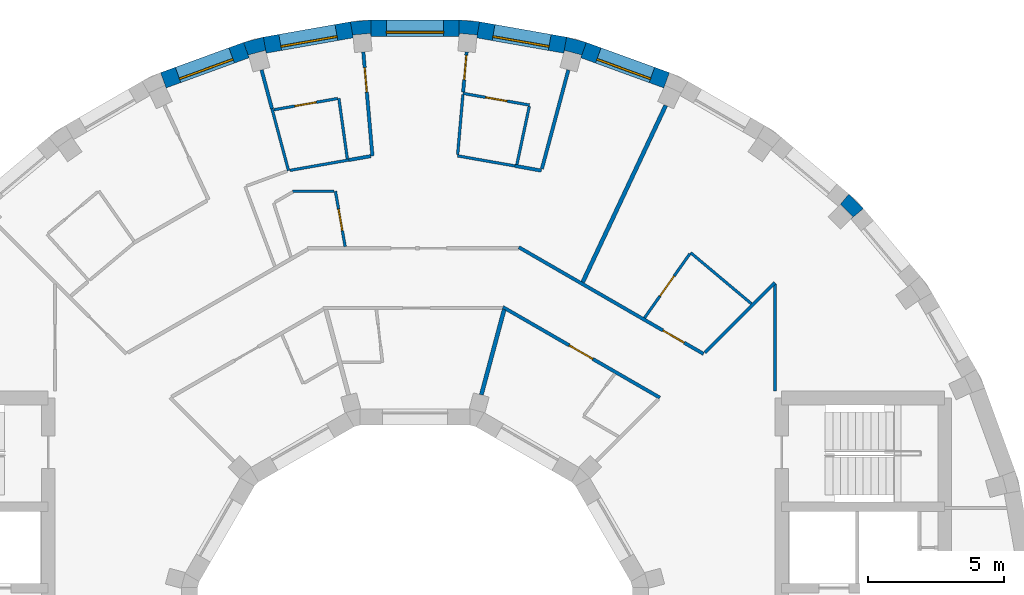
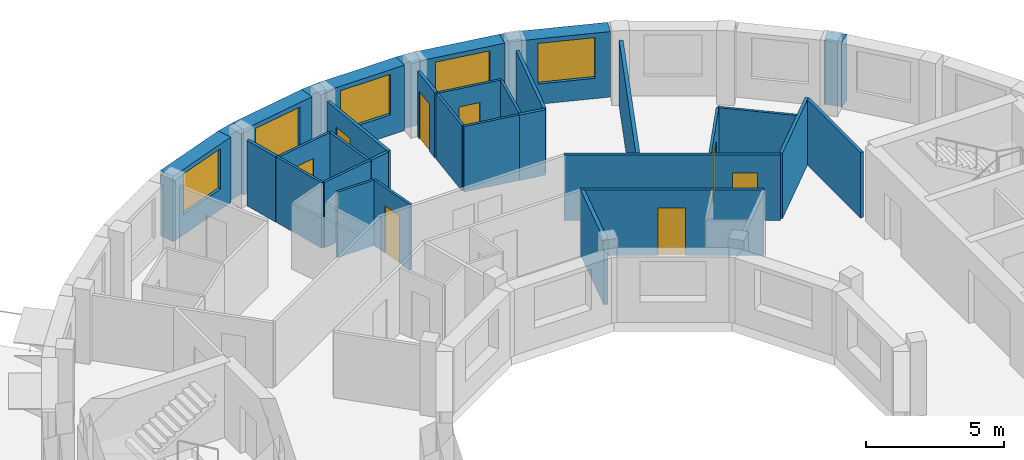
# One storey, part 8 of 10: 34 walls, 8 doors, 5 windows, 13 openings.
"""IFC4 building model written with IfcOpenShell, lengths in metres."""

from ifc_helpers import new_model, si_unit, direction, frame, frame_2d, origin, place, context, subcontext, project, spatial, polyline, rectangle, outline, extrude, material, layer, layer_set, type_object, element, fill, save


model = new_model("IFC4")

# Units and contexts
model_context = context("Model", 3, precision=1e-05, world=origin(), true_north=direction((0.0, 1.0)))
body_context = subcontext(model_context, "Body", "Model", "MODEL_VIEW")
ifc_project = project(units=[si_unit("LENGTHUNIT", "METRE"), si_unit("AREAUNIT", "SQUARE_METRE"), si_unit("VOLUMEUNIT", "CUBIC_METRE"), si_unit("PLANEANGLEUNIT", "RADIAN"), si_unit("MASSUNIT", "GRAM", prefix="KILO")], contexts=[model_context])

# Site, building, storey
site_placement = place(None, origin())
site = spatial("IfcSite", under=ifc_project, at=site_placement, CompositionType="ELEMENT")
building_placement = place(site_placement, origin())
building = spatial("IfcBuilding", under=site, at=building_placement, Name="Saqina Gate Tower", CompositionType="ELEMENT")
storey_placement = place(building_placement, frame((0.0, 0.0, 239.60009765625)))
storey = spatial("IfcBuildingStorey", under=building, at=storey_placement, Name="L68", CompositionType="ELEMENT", Elevation=239.60009765625)

# Walls
ifc_material_1 = material(Name="Brick masonry (buff)", Category="masonry")
wall_type_1 = type_object("IfcWallType", Name="BRICK PIER COPING BUFF", PredefinedType="SOLIDWALL", material=ifc_material_1)
wall_1_placement = place(storey_placement, origin())
element("IfcWall", 1, at=wall_1_placement, inside=storey, type_object=wall_type_1, Name="Pier cap L68 column 5", PredefinedType="SOLIDWALL", context=body_context, shape_type="SweptSolid", body=[
    extrude(outline(polyline([(15.973388671875, 16.5068359375), (15.587646484375, 16.04736328125), (15.662353515625, 16.1220703125), (16.1220703125, 15.662353515625), (16.04736328125, 15.587646484375), (16.5068359375, 15.973388671875), (15.973388671875, 16.5068359375)])), origin(), (0.0, 0.0, 1.0), 2.89990234375),
])
wall_2_placement = place(storey_placement, origin())
element("IfcWall", 2, at=wall_2_placement, inside=storey, type_object=wall_type_1, Name="Pier cap L68 column 8", PredefinedType="SOLIDWALL", context=body_context, shape_type="SweptSolid", body=[
    extrude(outline(polyline([(5.579833984375, 22.281982421875), (5.4755859375, 21.691162109375), (5.5029296875, 21.793212890625), (6.130859375, 21.625), (6.103515625, 21.52294921875), (6.30859375, 22.0869140625), (5.579833984375, 22.281982421875)])), origin(), (0.0, 0.0, 1.0), 2.89990234375),
])
wall_3_placement = place(storey_placement, origin())
element("IfcWall", 3, at=wall_3_placement, inside=storey, type_object=wall_type_1, Name="Pier cap L68 column 9", PredefinedType="SOLIDWALL", context=body_context, shape_type="SweptSolid", body=[
    extrude(outline(polyline([(2.377685546875, 22.8466796875), (1.625732421875, 22.91259765625), (1.625732421875, 22.3125), (1.635009765625, 22.417724609375), (2.28271484375, 22.361083984375), (2.2734375, 22.255859375), (2.377685546875, 22.8466796875)])), origin(), (0.0, 0.0, 1.0), 2.89990234375),
])
wall_4_placement = place(storey_placement, origin())
element("IfcWall", 4, at=wall_4_placement, inside=storey, type_object=wall_type_1, Name="Pier cap L68 column 10", PredefinedType="SOLIDWALL", context=body_context, shape_type="SweptSolid", body=[
    extrude(outline(polyline([(-1.625732421875, 22.91259765625), (-2.377685546875, 22.8466796875), (-2.2734375, 22.255859375), (-2.28271484375, 22.361083984375), (-1.635009765625, 22.417724609375), (-1.625732421875, 22.3125), (-1.625732421875, 22.91259765625)])), origin(), (0.0, 0.0, 1.0), 2.89990234375),
])
wall_5_placement = place(storey_placement, origin())
element("IfcWall", 5, at=wall_5_placement, inside=storey, type_object=wall_type_1, Name="Pier cap L68 column 11", PredefinedType="SOLIDWALL", context=body_context, shape_type="SweptSolid", body=[
    extrude(outline(polyline([(-6.30859375, 22.0869140625), (-6.103515625, 21.52294921875), (-6.130859375, 21.625), (-5.5029296875, 21.793212890625), (-5.4755859375, 21.691162109375), (-5.579833984375, 22.281982421875), (-6.30859375, 22.0869140625)])), origin(), (0.0, 0.0, 1.0), 2.89990234375),
])

# Wall, opening, window
ifc_material_2 = material(Name="Brick masonry (buff)", Category="masonry")
ifc_layer_1 = layer(ifc_material_2, 0.60009765625)
ifc_layer_set_1 = layer_set([ifc_layer_1], Name="FW-BRICK-BUFF")
wall_type_2 = type_object("IfcWallType", Name="FW-BRICK-BUFF", PredefinedType="SOLIDWALL", material=ifc_layer_set_1)
wall_6_placement = place(storey_placement, frame((9.26171875, 20.692626953125, 0.0), z_axis=(0.0, 0.0, 1.0), x_axis=(-0.939679383794, 0.342056509473, 0.0)))
wall_6 = element("IfcWall", 6, at=wall_6_placement, inside=storey, type_object=wall_type_2, Name="Facade wall L68 facet 7", PredefinedType="SOLIDWALL", context=body_context, shape_type="SweptSolid", body=[
    extrude(rectangle(XDim=3.251708984375, YDim=0.60009765625, at=frame_2d((1.6259765625, 0.0))), origin(), (0.0, 0.0, 1.0), 2.89990234375),
])
opening_1_placement = place(wall_6_placement, frame((0.57568359375, 0.0, 0.89990234375)))
opening_1 = element("IfcOpeningElement", 7, at=opening_1_placement, cuts=wall_6, Name="Opening G20-W05", PredefinedType="OPENING", context=body_context, shape_type="SweptSolid", body=[
    extrude(rectangle(XDim=2.10009765625, YDim=1.800048828125, at=frame_2d((1.050048828125, 0.89990234375))), frame((0.0, 0.31201171875, 0.0), z_axis=(0.0, -1.0, 0.0), x_axis=(1.0, 0.0, 0.0)), (0.0, 0.0, 1.0), 0.6240234375),
])
ifc_material_3 = material(Name="Aluminium glazing", Category="aluminium")
window_type = type_object("IfcWindowType", Name="WN-D", PartitioningType="SINGLE_PANEL", PredefinedType="WINDOW", material=ifc_material_3)
window_1_placement = place(opening_1_placement, origin())
window_1 = element("IfcWindow", 8, at=window_1_placement, inside=storey, type_object=window_type, Name="Window L68 facet 7", OverallHeight=1.800048828125, OverallWidth=2.10009765625, PartitioningType="SINGLE_PANEL", PredefinedType="WINDOW", context=body_context, shape_type="SweptSolid", body=[
    extrude(rectangle(XDim=2.10009765625, YDim=1.800048828125, at=frame_2d((1.050048828125, 0.89990234375))), frame((0.0, 0.179931640625, 0.0), z_axis=(0.0, -1.0, 0.0), x_axis=(1.0, 0.0, 0.0)), (0.0, 0.0, 1.0), 0.06005859375),
])
fill(opening_1, window_1)

wall_7_placement = place(storey_placement, frame((5.52783203125, 21.986572265625, 0.0), z_axis=(0.0, 0.0, 1.0), x_axis=(-0.984806225186, 0.173656842178, 0.0)))
wall_7 = element("IfcWall", 9, at=wall_7_placement, inside=storey, type_object=wall_type_2, Name="Facade wall L68 facet 8", PredefinedType="SOLIDWALL", context=body_context, shape_type="SweptSolid", body=[
    extrude(rectangle(XDim=3.251708984375, YDim=0.60009765625, at=frame_2d((1.6259765625, 0.0))), origin(), (0.0, 0.0, 1.0), 2.89990234375),
])
opening_2_placement = place(wall_7_placement, frame((0.57568359375, 0.0, 0.89990234375)))
opening_2 = element("IfcOpeningElement", 10, at=opening_2_placement, cuts=wall_7, Name="Opening G20-W06", PredefinedType="OPENING", context=body_context, shape_type="SweptSolid", body=[
    extrude(rectangle(XDim=2.10009765625, YDim=1.800048828125, at=frame_2d((1.050048828125, 0.89990234375))), frame((0.0, 0.31201171875, 0.0), z_axis=(0.0, -1.0, 0.0), x_axis=(1.0, 0.0, 0.0)), (0.0, 0.0, 1.0), 0.6240234375),
])
window_2_placement = place(opening_2_placement, origin())
window_2 = element("IfcWindow", 11, at=window_2_placement, inside=storey, type_object=window_type, Name="Window L68 facet 8", OverallHeight=1.800048828125, OverallWidth=2.10009765625, PartitioningType="SINGLE_PANEL", PredefinedType="WINDOW", context=body_context, shape_type="SweptSolid", body=[
    extrude(rectangle(XDim=2.10009765625, YDim=1.800048828125, at=frame_2d((1.050048828125, 0.89990234375))), frame((0.0, 0.179931640625, 0.0), z_axis=(0.0, -1.0, 0.0), x_axis=(1.0, 0.0, 0.0)), (0.0, 0.0, 1.0), 0.06005859375),
])
fill(opening_2, window_2)

wall_8_placement = place(storey_placement, frame((1.625732421875, 22.612548828125, 0.0), z_axis=(0.0, 0.0, 1.0), x_axis=(-1.0, 0.0, 0.0)))
wall_8 = element("IfcWall", 12, at=wall_8_placement, inside=storey, type_object=wall_type_2, Name="Facade wall L68 facet 9", PredefinedType="SOLIDWALL", context=body_context, shape_type="SweptSolid", body=[
    extrude(rectangle(XDim=3.25146484375, YDim=0.60009765625, at=frame_2d((1.625732421875, 0.0))), origin(), (0.0, 0.0, 1.0), 2.89990234375),
])
opening_3_placement = place(wall_8_placement, frame((0.57568359375, 0.0, 0.89990234375)))
opening_3 = element("IfcOpeningElement", 13, at=opening_3_placement, cuts=wall_8, Name="Opening G20-W07", PredefinedType="OPENING", context=body_context, shape_type="SweptSolid", body=[
    extrude(rectangle(XDim=2.10009765625, YDim=1.800048828125, at=frame_2d((1.050048828125, 0.89990234375))), frame((0.0, 0.31201171875, 0.0), z_axis=(0.0, -1.0, 0.0), x_axis=(1.0, 0.0, 0.0)), (0.0, 0.0, 1.0), 0.6240234375),
])
window_3_placement = place(opening_3_placement, origin())
window_3 = element("IfcWindow", 14, at=window_3_placement, inside=storey, type_object=window_type, Name="Window L68 facet 9", OverallHeight=1.800048828125, OverallWidth=2.10009765625, PartitioningType="SINGLE_PANEL", PredefinedType="WINDOW", context=body_context, shape_type="SweptSolid", body=[
    extrude(rectangle(XDim=2.10009765625, YDim=1.800048828125, at=frame_2d((1.050048828125, 0.89990234375))), frame((0.0, 0.179931640625, 0.0), z_axis=(0.0, -1.0, 0.0), x_axis=(1.0, 0.0, 0.0)), (0.0, 0.0, 1.0), 0.06005859375),
])
fill(opening_3, window_3)

wall_9_placement = place(storey_placement, frame((-2.325439453125, 22.55126953125, 0.0), z_axis=(0.0, 0.0, 1.0), x_axis=(-0.984806225186, -0.173656842178, 0.0)))
wall_9 = element("IfcWall", 15, at=wall_9_placement, inside=storey, type_object=wall_type_2, Name="Facade wall L68 facet 10", PredefinedType="SOLIDWALL", context=body_context, shape_type="SweptSolid", body=[
    extrude(rectangle(XDim=3.251708984375, YDim=0.60009765625, at=frame_2d((1.6259765625, 0.0))), origin(), (0.0, 0.0, 1.0), 2.89990234375),
])
opening_4_placement = place(wall_9_placement, frame((0.57568359375, 0.0, 0.89990234375)))
opening_4 = element("IfcOpeningElement", 16, at=opening_4_placement, cuts=wall_9, Name="Opening G20-W08", PredefinedType="OPENING", context=body_context, shape_type="SweptSolid", body=[
    extrude(rectangle(XDim=2.10009765625, YDim=1.800048828125, at=frame_2d((1.050048828125, 0.89990234375))), frame((0.0, 0.31201171875, 0.0), z_axis=(0.0, -1.0, 0.0), x_axis=(1.0, 0.0, 0.0)), (0.0, 0.0, 1.0), 0.6240234375),
])
window_4_placement = place(opening_4_placement, origin())
window_4 = element("IfcWindow", 17, at=window_4_placement, inside=storey, type_object=window_type, Name="Window L68 facet 10", OverallHeight=1.800048828125, OverallWidth=2.10009765625, PartitioningType="SINGLE_PANEL", PredefinedType="WINDOW", context=body_context, shape_type="SweptSolid", body=[
    extrude(rectangle(XDim=2.10009765625, YDim=1.800048828125, at=frame_2d((1.050048828125, 0.89990234375))), frame((0.0, 0.179931640625, 0.0), z_axis=(0.0, -1.0, 0.0), x_axis=(1.0, 0.0, 0.0)), (0.0, 0.0, 1.0), 0.06005859375),
])
fill(opening_4, window_4)

wall_10_placement = place(storey_placement, frame((-6.2060546875, 21.804931640625, 0.0), z_axis=(0.0, 0.0, 1.0), x_axis=(-0.939679383794, -0.342056509473, 0.0)))
wall_10 = element("IfcWall", 18, at=wall_10_placement, inside=storey, type_object=wall_type_2, Name="Facade wall L68 facet 11", PredefinedType="SOLIDWALL", context=body_context, shape_type="SweptSolid", body=[
    extrude(rectangle(XDim=3.251708984375, YDim=0.60009765625, at=frame_2d((1.6259765625, 0.0))), origin(), (0.0, 0.0, 1.0), 2.89990234375),
])
opening_5_placement = place(wall_10_placement, frame((0.57568359375, 0.0, 0.89990234375)))
opening_5 = element("IfcOpeningElement", 19, at=opening_5_placement, cuts=wall_10, Name="Opening G20-W09", PredefinedType="OPENING", context=body_context, shape_type="SweptSolid", body=[
    extrude(rectangle(XDim=2.10009765625, YDim=1.800048828125, at=frame_2d((1.050048828125, 0.89990234375))), frame((0.0, 0.31201171875, 0.0), z_axis=(0.0, -1.0, 0.0), x_axis=(1.0, 0.0, 0.0)), (0.0, 0.0, 1.0), 0.6240234375),
])
window_5_placement = place(opening_5_placement, origin())
window_5 = element("IfcWindow", 20, at=window_5_placement, inside=storey, type_object=window_type, Name="Window L68 facet 11", OverallHeight=1.800048828125, OverallWidth=2.10009765625, PartitioningType="SINGLE_PANEL", PredefinedType="WINDOW", context=body_context, shape_type="SweptSolid", body=[
    extrude(rectangle(XDim=2.10009765625, YDim=1.800048828125, at=frame_2d((1.050048828125, 0.89990234375))), frame((0.0, 0.179931640625, 0.0), z_axis=(0.0, -1.0, 0.0), x_axis=(1.0, 0.0, 0.0)), (0.0, 0.0, 1.0), 0.06005859375),
])
fill(opening_5, window_5)

# Wall
ifc_material_4 = material(Name="Gypsum board on steel studs, 100 mm", Category="steel")
ifc_layer_2 = layer(ifc_material_4, 0.10009765625)
ifc_layer_set_2 = layer_set([ifc_layer_2], Name="PARTITION 100")
wall_type_3 = type_object("IfcWallType", Name="PARTITION 100", PredefinedType="PARTITIONING", material=ifc_layer_set_2)
wall_11_placement = place(storey_placement, frame((-2.802001953125, 20.030029296875, 0.0), z_axis=(0.0, 0.0, 1.0), x_axis=(0.138596789885, -0.990348892983, 0.0)))
element("IfcWall", 21, at=wall_11_placement, inside=storey, type_object=wall_type_3, Name="PARTITION PW3-03", PredefinedType="PARTITIONING", context=body_context, shape_type="SweptSolid", body=[
    extrude(rectangle(XDim=2.251220703125, YDim=0.10009765625, at=frame_2d((1.12548828125, 0.0))), origin(), (0.0, 0.0, 1.0), 2.89990234375),
])

# Wall, opening, door
wall_12_placement = place(storey_placement, frame((-2.928955078125, 16.610107421875, 0.0), z_axis=(0.0, 0.0, 1.0), x_axis=(0.173496006764, -0.984834572726, 0.0)))
wall_12 = element("IfcWall", 22, at=wall_12_placement, inside=storey, type_object=wall_type_3, Name="PARTITION PW3-04", PredefinedType="PARTITIONING", context=body_context, shape_type="SweptSolid", body=[
    extrude(rectangle(XDim=2.070068359375, YDim=0.10009765625, at=frame_2d((1.03515625, 0.0))), origin(), (0.0, 0.0, 1.0), 2.89990234375),
])
opening_6_placement = place(wall_12_placement, frame((0.667236328125, 0.0, 0.0)))
opening_6 = element("IfcOpeningElement", 23, at=opening_6_placement, cuts=wall_12, Name="Opening G20-D12", PredefinedType="OPENING", context=body_context, shape_type="SweptSolid", body=[
    extrude(rectangle(XDim=0.800048828125, YDim=2.10009765625, at=frame_2d((0.39990234375, 1.050048828125))), frame((0.0, 0.06201171875, 0.0), z_axis=(0.0, -1.0, 0.0), x_axis=(1.0, 0.0, 0.0)), (0.0, 0.0, 1.0), 0.1240234375),
])
ifc_material_5 = material(Name="Timber door leaf, 800 mm", Category="wood")
door_type_1 = type_object("IfcDoorType", Name="DOOR 800 TIMBER", OperationType="SINGLE_SWING_LEFT", PredefinedType="DOOR", material=ifc_material_5)
door_1_placement = place(opening_6_placement, origin())
door_1 = element("IfcDoor", 24, at=door_1_placement, inside=storey, type_object=door_type_1, Name="DOOR G20-D12", OperationType="SINGLE_SWING_RIGHT", OverallHeight=2.10009765625, OverallWidth=0.800048828125, PredefinedType="DOOR", context=body_context, shape_type="SweptSolid", body=[
    extrude(rectangle(XDim=0.800048828125, YDim=2.10009765625, at=frame_2d((0.39990234375, 1.050048828125))), frame((0.0, 0.02490234375, 0.0), z_axis=(0.0, -1.0, 0.0), x_axis=(1.0, 0.0, 0.0)), (0.0, 0.0, 1.0), 0.050048828125),
])
fill(opening_6, door_1)

# Walls
wall_13_placement = place(storey_placement, frame((-5.263916015625, 19.646240234375, 0.0), z_axis=(0.0, 0.0, 1.0), x_axis=(0.258480811352, -0.966016392285, 0.0)))
element("IfcWall", 25, at=wall_13_placement, inside=storey, type_object=wall_type_3, Name="PARTITION PW3-06", PredefinedType="PARTITIONING", context=body_context, shape_type="SweptSolid", body=[
    extrude(rectangle(XDim=2.3583984375, YDim=0.10009765625, at=frame_2d((1.17919921875, 0.0))), origin(), (0.0, 0.0, 1.0), 2.89990234375),
])
wall_14_placement = place(storey_placement, frame((10.14599609375, 14.347900390625, 0.0), z_axis=(0.0, 0.0, 1.0), x_axis=(0.765810272607, -0.643066580044, 0.0)))
element("IfcWall", 26, at=wall_14_placement, inside=storey, type_object=wall_type_3, Name="PARTITION PW3-15", PredefinedType="PARTITIONING", context=body_context, shape_type="SweptSolid", body=[
    extrude(rectangle(XDim=2.919921875, YDim=0.10009765625, at=frame_2d((1.4599609375, 0.0))), origin(), (0.0, 0.0, 1.0), 2.89990234375),
])
wall_15_placement = place(storey_placement, frame((1.56689453125, 17.912109375, 0.0), z_axis=(0.0, 0.0, 1.0), x_axis=(0.984859193769, -0.173356189529, 0.0)))
element("IfcWall", 27, at=wall_15_placement, inside=storey, type_object=wall_type_3, Name="PARTITION PW3-23", PredefinedType="PARTITIONING", context=body_context, shape_type="SweptSolid", body=[
    extrude(rectangle(XDim=2.14208984375, YDim=0.10009765625, at=frame_2d((1.071044921875, 0.0))), origin(), (0.0, 0.0, 1.0), 2.89990234375),
])

# Wall, opening, door
wall_16_placement = place(storey_placement, frame((1.76806640625, 20.2119140625, 0.0), z_axis=(0.0, 0.0, 1.0), x_axis=(0.984882203063, -0.173225419871, 0.0)))
wall_16 = element("IfcWall", 28, at=wall_16_placement, inside=storey, type_object=wall_type_3, Name="PARTITION PW3-24", PredefinedType="PARTITIONING", context=body_context, shape_type="SweptSolid", body=[
    extrude(rectangle(XDim=2.487548828125, YDim=0.10009765625, at=frame_2d((1.24365234375, 0.0))), origin(), (0.0, 0.0, 1.0), 2.89990234375),
])
opening_7_placement = place(wall_16_placement, frame((0.84375, 0.0, 0.0)))
opening_7 = element("IfcOpeningElement", 29, at=opening_7_placement, cuts=wall_16, Name="Opening G20-D05", PredefinedType="OPENING", context=body_context, shape_type="SweptSolid", body=[
    extrude(rectangle(XDim=0.800048828125, YDim=2.10009765625, at=frame_2d((0.39990234375, 1.050048828125))), frame((0.0, 0.06201171875, 0.0), z_axis=(0.0, -1.0, 0.0), x_axis=(1.0, 0.0, 0.0)), (0.0, 0.0, 1.0), 0.1240234375),
])
door_2_placement = place(opening_7_placement, origin())
door_2 = element("IfcDoor", 30, at=door_2_placement, inside=storey, type_object=door_type_1, Name="DOOR G20-D05", OperationType="SINGLE_SWING_LEFT", OverallHeight=2.10009765625, OverallWidth=0.800048828125, PredefinedType="DOOR", context=body_context, shape_type="SweptSolid", body=[
    extrude(rectangle(XDim=0.800048828125, YDim=2.10009765625, at=frame_2d((0.39990234375, 1.050048828125))), frame((0.0, 0.02490234375, 0.0), z_axis=(0.0, -1.0, 0.0), x_axis=(1.0, 0.0, 0.0)), (0.0, 0.0, 1.0), 0.050048828125),
])
fill(opening_7, door_2)

# Walls
wall_17_placement = place(storey_placement, frame((-4.5087890625, 16.610107421875, 0.0), z_axis=(0.0, 0.0, 1.0), x_axis=(1.0, 0.0, 0.0)))
element("IfcWall", 31, at=wall_17_placement, inside=storey, type_object=wall_type_3, Name="PARTITION PW3-27", PredefinedType="PARTITIONING", context=body_context, shape_type="SweptSolid", body=[
    extrude(rectangle(XDim=1.52783203125, YDim=0.10009765625, at=frame_2d((0.763916015625, 0.0))), origin(), (0.0, 0.0, 1.0), 2.89990234375),
])
wall_18_placement = place(storey_placement, frame((-4.604736328125, 17.376708984375, 0.0), z_axis=(0.0, 0.0, 1.0), x_axis=(0.984786903427, 0.173766380058, 0.0)))
element("IfcWall", 32, at=wall_18_placement, inside=storey, type_object=wall_type_3, Name="PARTITION PW3-30", PredefinedType="PARTITIONING", context=body_context, shape_type="SweptSolid", body=[
    extrude(rectangle(XDim=2.204345703125, YDim=0.10009765625, at=frame_2d((1.10205078125, 0.0))), origin(), (0.0, 0.0, 1.0), 2.89990234375),
])

# Wall, opening, door
wall_19_placement = place(storey_placement, frame((-5.189453125, 19.60888671875, 0.0), z_axis=(0.0, 0.0, 1.0), x_axis=(0.984802186768, 0.173679742451, 0.0)))
wall_19 = element("IfcWall", 33, at=wall_19_placement, inside=storey, type_object=wall_type_3, Name="PARTITION PW3-31", PredefinedType="PARTITIONING", context=body_context, shape_type="SweptSolid", body=[
    extrude(rectangle(XDim=2.374267578125, YDim=0.10009765625, at=frame_2d((1.18701171875, 0.0))), origin(), (0.0, 0.0, 1.0), 2.89990234375),
])
opening_8_placement = place(wall_19_placement, frame((0.781005859375, 0.0, 0.0)))
opening_8 = element("IfcOpeningElement", 34, at=opening_8_placement, cuts=wall_19, Name="Opening G20-D13", PredefinedType="OPENING", context=body_context, shape_type="SweptSolid", body=[
    extrude(rectangle(XDim=0.800048828125, YDim=2.10009765625, at=frame_2d((0.39990234375, 1.050048828125))), frame((0.0, 0.06201171875, 0.0), z_axis=(0.0, -1.0, 0.0), x_axis=(1.0, 0.0, 0.0)), (0.0, 0.0, 1.0), 0.1240234375),
])
door_3_placement = place(opening_8_placement, origin())
door_3 = element("IfcDoor", 35, at=door_3_placement, inside=storey, type_object=door_type_1, Name="DOOR G20-D13", OperationType="SINGLE_SWING_LEFT", OverallHeight=2.10009765625, OverallWidth=0.800048828125, PredefinedType="DOOR", context=body_context, shape_type="SweptSolid", body=[
    extrude(rectangle(XDim=0.800048828125, YDim=2.10009765625, at=frame_2d((0.39990234375, 1.050048828125))), frame((0.0, 0.02490234375, 0.0), z_axis=(0.0, -1.0, 0.0), x_axis=(1.0, 0.0, 0.0)), (0.0, 0.0, 1.0), 0.050048828125),
])
fill(opening_8, door_3)

wall_20_placement = place(storey_placement, frame((8.44921875, 11.9482421875, 0.0), z_axis=(0.0, 0.0, 1.0), x_axis=(0.577346566694, 0.816499198975, 0.0)))
wall_20 = element("IfcWall", 36, at=wall_20_placement, inside=storey, type_object=wall_type_3, Name="PARTITION PW3-41", PredefinedType="PARTITIONING", context=body_context, shape_type="SweptSolid", body=[
    extrude(rectangle(XDim=2.888916015625, YDim=0.10009765625, at=frame_2d((1.4443359375, 0.0))), origin(), (0.0, 0.0, 1.0), 2.89990234375),
])
opening_9_placement = place(wall_20_placement, frame((0.988037109375, 0.0, 0.0)))
opening_9 = element("IfcOpeningElement", 37, at=opening_9_placement, cuts=wall_20, Name="Opening G20-D03", PredefinedType="OPENING", context=body_context, shape_type="SweptSolid", body=[
    extrude(rectangle(XDim=0.89990234375, YDim=2.10009765625, at=frame_2d((0.449951171875, 1.050048828125))), frame((0.0, 0.06201171875, 0.0), z_axis=(0.0, -1.0, 0.0), x_axis=(1.0, 0.0, 0.0)), (0.0, 0.0, 1.0), 0.1240234375),
])
ifc_material_6 = material(Name="Timber door leaf, 900 mm", Category="wood")
door_type_2 = type_object("IfcDoorType", Name="DOOR 900 TIMBER", OperationType="SINGLE_SWING_LEFT", PredefinedType="DOOR", material=ifc_material_6)
door_4_placement = place(opening_9_placement, origin())
door_4 = element("IfcDoor", 38, at=door_4_placement, inside=storey, type_object=door_type_2, Name="DOOR G20-D03", OperationType="SINGLE_SWING_LEFT", OverallHeight=2.10009765625, OverallWidth=0.89990234375, PredefinedType="DOOR", context=body_context, shape_type="SweptSolid", body=[
    extrude(rectangle(XDim=0.89990234375, YDim=2.10009765625, at=frame_2d((0.449951171875, 1.050048828125))), frame((0.0, 0.02490234375, 0.0), z_axis=(0.0, -1.0, 0.0), x_axis=(1.0, 0.0, 0.0)), (0.0, 0.0, 1.0), 0.050048828125),
])
fill(opening_9, door_4)

# Walls
wall_21_placement = place(storey_placement, frame((3.7509765625, 17.59130859375, 0.0), z_axis=(0.0, 0.0, 1.0), x_axis=(0.208561664849, 0.978009218748, 0.0)))
element("IfcWall", 39, at=wall_21_placement, inside=storey, type_object=wall_type_3, Name="PARTITION PW3-49", PredefinedType="PARTITIONING", context=body_context, shape_type="SweptSolid", body=[
    extrude(rectangle(XDim=2.18896484375, YDim=0.10009765625, at=frame_2d((1.094482421875, 0.0))), origin(), (0.0, 0.0, 1.0), 2.89990234375),
])
wall_22_placement = place(storey_placement, frame((1.571533203125, 17.962890625, 0.0), z_axis=(0.0, 0.0, 1.0), x_axis=(0.087035248455, 0.996205232634, 0.0)))
element("IfcWall", 40, at=wall_22_placement, inside=storey, type_object=wall_type_3, Name="PARTITION PW3-52", PredefinedType="PARTITIONING", context=body_context, shape_type="SweptSolid", body=[
    extrude(rectangle(XDim=2.20751953125, YDim=0.10009765625, at=frame_2d((1.103759765625, 0.0))), origin(), (0.0, 0.0, 1.0), 2.89990234375),
])

# Wall, opening, door
ifc_material_7 = material(Name="Gypsum board on steel studs, 125 mm, fire rated", Category="steel")
ifc_layer_3 = layer(ifc_material_7, 0.125)
ifc_layer_set_3 = layer_set([ifc_layer_3], Name="PARTITION EI 30 125")
wall_type_4 = type_object("IfcWallType", Name="PARTITION EI 30 125", PredefinedType="PARTITIONING", material=ifc_layer_set_3)
wall_23_placement = place(storey_placement, frame((-1.9013671875, 21.73193359375, 0.0), z_axis=(0.0, 0.0, 1.0), x_axis=(0.087187491268, -0.996191919946, 0.0)))
wall_23 = element("IfcWall", 41, at=wall_23_placement, inside=storey, type_object=wall_type_4, Name="PARTITION PW1-01", PredefinedType="PARTITIONING", context=body_context, shape_type="SweptSolid", body=[
    extrude(rectangle(XDim=3.83349609375, YDim=0.125, at=frame_2d((1.916748046875, 0.0))), origin(), (0.0, 0.0, 1.0), 2.89990234375),
])
opening_10_placement = place(wall_23_placement, frame((0.5751953125, 0.0, 0.0)))
opening_10 = element("IfcOpeningElement", 42, at=opening_10_placement, cuts=wall_23, Name="Opening G20-D10", PredefinedType="OPENING", context=body_context, shape_type="SweptSolid", body=[
    extrude(rectangle(XDim=0.89990234375, YDim=2.10009765625, at=frame_2d((0.449951171875, 1.050048828125))), frame((0.0, 0.074462890625, 0.0), z_axis=(0.0, -1.0, 0.0), x_axis=(1.0, 0.0, 0.0)), (0.0, 0.0, 1.0), 0.14892578125),
])
ifc_material_8 = material(Name="Fire door leaf EI 30, 900 mm")
door_type_3 = type_object("IfcDoorType", Name="DOOR 900 EI 30", OperationType="SINGLE_SWING_LEFT", PredefinedType="DOOR", material=ifc_material_8)
door_5_placement = place(opening_10_placement, origin())
door_5 = element("IfcDoor", 43, at=door_5_placement, inside=storey, type_object=door_type_3, Name="DOOR G20-D10", OperationType="SINGLE_SWING_LEFT", OverallHeight=2.10009765625, OverallWidth=0.89990234375, PredefinedType="DOOR", context=body_context, shape_type="SweptSolid", body=[
    extrude(rectangle(XDim=0.89990234375, YDim=2.10009765625, at=frame_2d((0.449951171875, 1.050048828125))), frame((0.0, 0.02490234375, 0.0), z_axis=(0.0, -1.0, 0.0), x_axis=(1.0, 0.0, 0.0)), (0.0, 0.0, 1.0), 0.050048828125),
])
fill(opening_10, door_5)

# Wall
wall_24_placement = place(storey_placement, frame((-5.64599609375, 21.07177734375, 0.0), z_axis=(0.0, 0.0, 1.0), x_axis=(0.258887675069, -0.965907434332, 0.0)))
element("IfcWall", 44, at=wall_24_placement, inside=storey, type_object=wall_type_4, Name="PARTITION PW1-04", PredefinedType="PARTITIONING", context=body_context, shape_type="SweptSolid", body=[
    extrude(rectangle(XDim=1.475830078125, YDim=0.125, at=frame_2d((0.73779296875, 0.0))), origin(), (0.0, 0.0, 1.0), 2.89990234375),
])

# Wall, opening, door
wall_25_placement = place(storey_placement, frame((3.235595703125, 12.34619140625, 0.0), z_axis=(0.0, 0.0, 1.0), x_axis=(0.866074652738, -0.499914688607, 0.0)))
wall_25 = element("IfcWall", 45, at=wall_25_placement, inside=storey, type_object=wall_type_4, Name="PARTITION PW1-13", PredefinedType="PARTITIONING", context=body_context, shape_type="SweptSolid", body=[
    extrude(rectangle(XDim=6.669677734375, YDim=0.125, at=frame_2d((3.3349609375, 0.0))), origin(), (0.0, 0.0, 1.0), 2.89990234375),
])
opening_11_placement = place(wall_25_placement, frame((2.8203125, 0.0, 0.0)))
opening_11 = element("IfcOpeningElement", 46, at=opening_11_placement, cuts=wall_25, Name="Opening G20-D04", PredefinedType="OPENING", context=body_context, shape_type="SweptSolid", body=[
    extrude(rectangle(XDim=1.0, YDim=2.10009765625, at=frame_2d((0.5, 1.050048828125))), frame((0.0, 0.074462890625, 0.0), z_axis=(0.0, -1.0, 0.0), x_axis=(1.0, 0.0, 0.0)), (0.0, 0.0, 1.0), 0.14892578125),
])
ifc_material_9 = material(Name="Fire door leaf EI 30, 1000 mm")
door_type_4 = type_object("IfcDoorType", Name="DOOR 1000 EI 30", OperationType="SINGLE_SWING_LEFT", PredefinedType="DOOR", material=ifc_material_9)
door_6_placement = place(opening_11_placement, frame((1.0, 0.0, 0.0), z_axis=(0.0, 0.0, 1.0), x_axis=(-1.0, 0.0, 0.0)))
door_6 = element("IfcDoor", 47, at=door_6_placement, inside=storey, type_object=door_type_4, Name="DOOR G20-D04", OperationType="SINGLE_SWING_RIGHT", OverallHeight=2.10009765625, OverallWidth=1.0, PredefinedType="DOOR", context=body_context, shape_type="SweptSolid", body=[
    extrude(rectangle(XDim=1.0, YDim=2.10009765625, at=frame_2d((0.5, 1.050048828125))), frame((0.0, 0.02490234375, 0.0), z_axis=(0.0, -1.0, 0.0), x_axis=(1.0, 0.0, 0.0)), (0.0, 0.0, 1.0), 0.050048828125),
])
fill(opening_11, door_6)

wall_26_placement = place(storey_placement, frame((3.824462890625, 14.546630859375, 0.0), z_axis=(0.0, 0.0, 1.0), x_axis=(0.866027606468, -0.499996184821, 0.0)))
wall_26 = element("IfcWall", 48, at=wall_26_placement, inside=storey, type_object=wall_type_4, Name="PARTITION PW1-14", PredefinedType="PARTITIONING", context=body_context, shape_type="SweptSolid", body=[
    extrude(rectangle(XDim=7.84912109375, YDim=0.125, at=frame_2d((3.924560546875, 0.0))), origin(), (0.0, 0.0, 1.0), 2.89990234375),
])
opening_12_placement = place(wall_26_placement, frame((6.123779296875, 0.0, 0.0)))
opening_12 = element("IfcOpeningElement", 49, at=opening_12_placement, cuts=wall_26, Name="Opening G20-D01", PredefinedType="OPENING", context=body_context, shape_type="SweptSolid", body=[
    extrude(rectangle(XDim=0.89990234375, YDim=2.10009765625, at=frame_2d((0.449951171875, 1.050048828125))), frame((0.0, 0.074462890625, 0.0), z_axis=(0.0, -1.0, 0.0), x_axis=(1.0, 0.0, 0.0)), (0.0, 0.0, 1.0), 0.14892578125),
])
door_7_placement = place(opening_12_placement, origin())
door_7 = element("IfcDoor", 50, at=door_7_placement, inside=storey, type_object=door_type_3, Name="DOOR G20-D01", OperationType="SINGLE_SWING_RIGHT", OverallHeight=2.10009765625, OverallWidth=0.89990234375, PredefinedType="DOOR", context=body_context, shape_type="SweptSolid", body=[
    extrude(rectangle(XDim=0.89990234375, YDim=2.10009765625, at=frame_2d((0.449951171875, 1.050048828125))), frame((0.0, 0.02490234375, 0.0), z_axis=(0.0, -1.0, 0.0), x_axis=(1.0, 0.0, 0.0)), (0.0, 0.0, 1.0), 0.050048828125),
])
fill(opening_12, door_7)

# Walls
wall_27_placement = place(storey_placement, frame((3.6767578125, 17.54296875, 0.0), z_axis=(0.0, 0.0, 1.0), x_axis=(0.984296443918, -0.176523399272, 0.0)))
element("IfcWall", 51, at=wall_27_placement, inside=storey, type_object=wall_type_4, Name="PARTITION PW1-15", PredefinedType="PARTITIONING", context=body_context, shape_type="SweptSolid", body=[
    extrude(rectangle(XDim=0.99169921875, YDim=0.125, at=frame_2d((0.495849609375, 0.0))), origin(), (0.0, 0.0, 1.0), 2.89990234375),
])
wall_28_placement = place(storey_placement, frame((-2.433837890625, 17.759765625, 0.0), z_axis=(0.0, 0.0, 1.0), x_axis=(0.98493650749, 0.172916385032, 0.0)))
element("IfcWall", 52, at=wall_28_placement, inside=storey, type_object=wall_type_4, Name="PARTITION PW1-22", PredefinedType="PARTITIONING", context=body_context, shape_type="SweptSolid", body=[
    extrude(rectangle(XDim=0.8173828125, YDim=0.125, at=frame_2d((0.40869140625, 0.0))), origin(), (0.0, 0.0, 1.0), 2.89990234375),
])
wall_29_placement = place(storey_placement, frame((10.666259765625, 10.666259765625, 0.0), z_axis=(0.0, 0.0, 1.0), x_axis=(0.707106781187, 0.707106781187, 0.0)))
element("IfcWall", 53, at=wall_29_placement, inside=storey, type_object=wall_type_4, Name="PARTITION PW1-32", PredefinedType="PARTITIONING", context=body_context, shape_type="SweptSolid", body=[
    extrude(rectangle(XDim=3.654052734375, YDim=0.125, at=frame_2d((1.8271484375, 0.0))), origin(), (0.0, 0.0, 1.0), 2.89990234375),
])
wall_30_placement = place(storey_placement, frame((4.670654296875, 17.42822265625, 0.0), z_axis=(0.0, 0.0, 1.0), x_axis=(0.258585096905, 0.965988482156, 0.0)))
element("IfcWall", 54, at=wall_30_placement, inside=storey, type_object=wall_type_4, Name="PARTITION PW1-36", PredefinedType="PARTITIONING", context=body_context, shape_type="SweptSolid", body=[
    extrude(rectangle(XDim=3.771728515625, YDim=0.125, at=frame_2d((1.8857421875, 0.0))), origin(), (0.0, 0.0, 1.0), 2.89990234375),
])

# Wall, opening, door
wall_31_placement = place(storey_placement, frame((1.7724609375, 20.26171875, 0.0), z_axis=(0.0, 0.0, 1.0), x_axis=(0.087179262922, 0.996192640063, 0.0)))
wall_31 = element("IfcWall", 55, at=wall_31_placement, inside=storey, type_object=wall_type_4, Name="PARTITION PW1-38", PredefinedType="PARTITIONING", context=body_context, shape_type="SweptSolid", body=[
    extrude(rectangle(XDim=1.475830078125, YDim=0.125, at=frame_2d((0.73779296875, 0.0))), origin(), (0.0, 0.0, 1.0), 2.89990234375),
])
opening_13_placement = place(wall_31_placement, frame((0.4541015625, 0.0, 0.0)))
opening_13 = element("IfcOpeningElement", 56, at=opening_13_placement, cuts=wall_31, Name="Opening G20-D06", PredefinedType="OPENING", context=body_context, shape_type="SweptSolid", body=[
    extrude(rectangle(XDim=0.89990234375, YDim=2.10009765625, at=frame_2d((0.449951171875, 1.050048828125))), frame((0.0, 0.074462890625, 0.0), z_axis=(0.0, -1.0, 0.0), x_axis=(1.0, 0.0, 0.0)), (0.0, 0.0, 1.0), 0.14892578125),
])
door_8_placement = place(opening_13_placement, origin())
door_8 = element("IfcDoor", 57, at=door_8_placement, inside=storey, type_object=door_type_3, Name="DOOR G20-D06", OperationType="SINGLE_SWING_RIGHT", OverallHeight=2.10009765625, OverallWidth=0.89990234375, PredefinedType="DOOR", context=body_context, shape_type="SweptSolid", body=[
    extrude(rectangle(XDim=0.89990234375, YDim=2.10009765625, at=frame_2d((0.449951171875, 1.050048828125))), frame((0.0, 0.02490234375, 0.0), z_axis=(0.0, -1.0, 0.0), x_axis=(1.0, 0.0, 0.0)), (0.0, 0.0, 1.0), 0.050048828125),
])
fill(opening_13, door_8)

# Walls
wall_32_placement = place(storey_placement, frame((13.25, 9.25, 0.0), z_axis=(0.0, 0.0, 1.0), x_axis=(0.0, 1.0, 0.0)))
element("IfcWall", 58, at=wall_32_placement, inside=storey, type_object=wall_type_4, Name="PARTITION PW1-40", PredefinedType="PARTITIONING", context=body_context, shape_type="SweptSolid", body=[
    extrude(rectangle(XDim=3.9375, YDim=0.125, at=frame_2d((1.96875, 0.0))), origin(), (0.0, 0.0, 1.0), 2.89990234375),
])
ifc_material_10 = material(Name="Gypsum board on steel studs, 150 mm, fire rated", Category="steel")
ifc_layer_4 = layer(ifc_material_10, 0.14990234375)
ifc_layer_set_4 = layer_set([ifc_layer_4], Name="PARTITION EI 60 150")
wall_type_5 = type_object("IfcWallType", Name="PARTITION EI 60 150", PredefinedType="PARTITIONING", material=ifc_layer_set_4)
wall_33_placement = place(storey_placement, frame((6.1748046875, 13.26123046875, 0.0), z_axis=(0.0, 0.0, 1.0), x_axis=(0.425078700153, 0.905156394595, 0.0)))
element("IfcWall", 59, at=wall_33_placement, inside=storey, type_object=wall_type_5, Name="PARTITION PW2-05", PredefinedType="PARTITIONING", context=body_context, shape_type="SweptSolid", body=[
    extrude(rectangle(XDim=7.186767578125, YDim=0.14990234375, at=frame_2d((3.59326171875, 0.0))), origin(), (0.0, 0.0, 1.0), 2.89990234375),
])
wall_34_placement = place(storey_placement, frame((2.444091796875, 9.120361328125, 0.0), z_axis=(0.0, 0.0, 1.0), x_axis=(0.258727295272, 0.965950405912, 0.0)))
element("IfcWall", 60, at=wall_34_placement, inside=storey, type_object=wall_type_5, Name="PARTITION PW2-07", PredefinedType="PARTITIONING", context=body_context, shape_type="SweptSolid", body=[
    extrude(rectangle(XDim=3.239501953125, YDim=0.14990234375, at=frame_2d((1.61962890625, 0.0))), origin(), (0.0, 0.0, 1.0), 2.89990234375),
])

save(model, "model.ifc")
